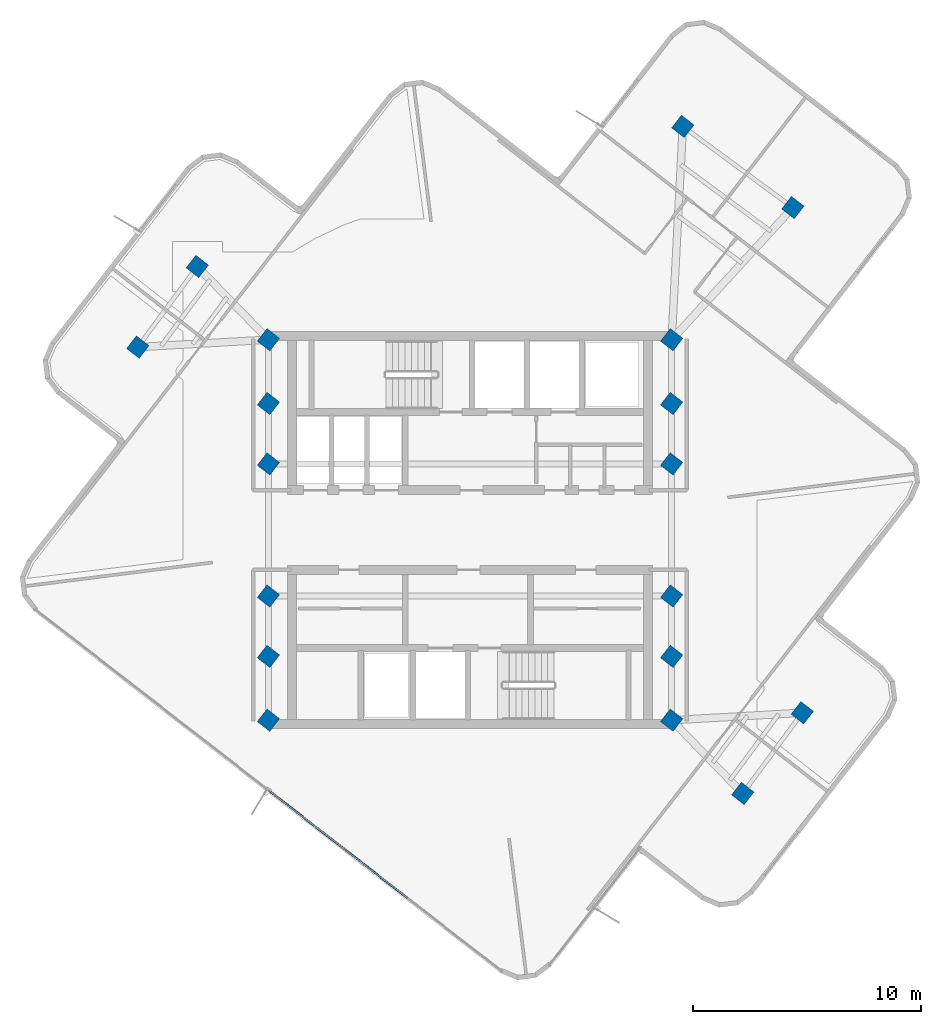
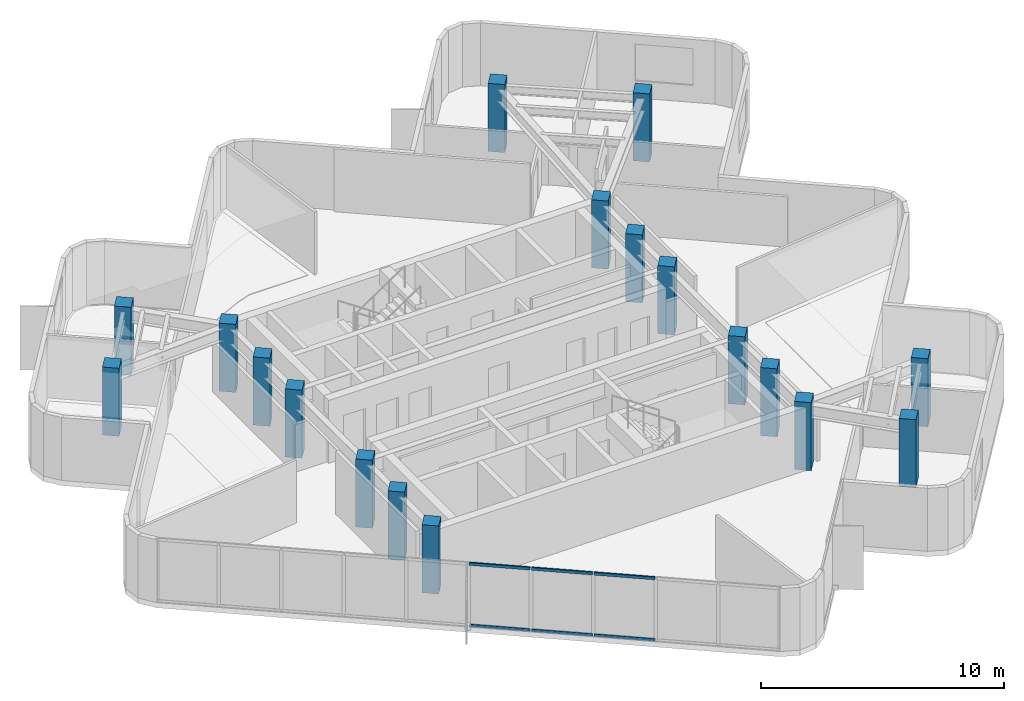
# One storey, part 1 of 10: 18 columns, 6 members, 1 element without a shape of its own.
"""IFC4 building model written with IfcOpenShell, lengths in metres."""

from ifc_helpers import new_model, si_unit, direction, frame, origin, origin_2d, place, context, subcontext, project, spatial, rectangle, extrude, material, layer, layer_set, material_profile, profile_set, type_object, element, aggregate, save


model = new_model("IFC4")

# Units and contexts
model_context = context("Model", 3, precision=1e-05, world=origin(), true_north=direction((0.0, 1.0)))
body_context = subcontext(model_context, "Body", "Model", "MODEL_VIEW")
ifc_project = project(units=[si_unit("LENGTHUNIT", "METRE"), si_unit("AREAUNIT", "SQUARE_METRE"), si_unit("VOLUMEUNIT", "CUBIC_METRE"), si_unit("PLANEANGLEUNIT", "RADIAN"), si_unit("MASSUNIT", "GRAM", prefix="KILO")], contexts=[model_context])

# Site, building, storey
site_placement = place(None, origin())
site = spatial("IfcSite", under=ifc_project, at=site_placement, CompositionType="ELEMENT")
building_placement = place(site_placement, origin())
building = spatial("IfcBuilding", under=site, at=building_placement, Name="Solmarez Civic Tower", CompositionType="ELEMENT")
storey_placement = place(building_placement, frame((0.0, 0.0, 257.760009765625)))
storey = spatial("IfcBuildingStorey", under=building, at=storey_placement, Name="L69", CompositionType="ELEMENT", Elevation=257.760009765625)

# Columns
ifc_material_1 = material(Name="Concrete C50/60", Category="concrete")
ifc_material_profile_1 = material_profile(ifc_material_1, rectangle(XDim=0.699951171875, YDim=0.699951171875, at=origin_2d()), Name="RC700X700")
ifc_profile_set_1 = profile_set([ifc_material_profile_1], Name="Concrete C50/60")
column_type = type_object("IfcColumnType", Name="COL-RC700", PredefinedType="COLUMN", material=ifc_profile_set_1)
for number, where, z_axis, x_axis, name in (
    (1, (-8.85009765625, -5.550048828125, 0.0), (0.0, 0.0, 1.0), (0.612907053653, 0.790155012376, 0.0), "L69 Structural Column HC1"),
    (2, (-8.85009765625, -2.89990234375, 0.0), (0.0, 0.0, 1.0), (0.612907053653, 0.790155012376, 0.0), "L69 Structural Column HC2"),
    (3, (-8.85009765625, 2.89990234375, 0.0), (0.0, 0.0, 1.0), (0.612907053653, 0.790155012376, 0.0), "L69 Structural Column HC3"),
    (4, (-8.85009765625, 5.550048828125, 0.0), (0.0, 0.0, 1.0), (0.612907053653, 0.790155012376, 0.0), "L69 Structural Column HC4"),
    (5, (8.85009765625, -5.550048828125, 0.0), (0.0, 0.0, 1.0), (0.612907053653, 0.790155012376, 0.0), "L69 Structural Column HC5"),
    (6, (8.85009765625, -2.89990234375, 0.0), (0.0, 0.0, 1.0), (0.612907053653, 0.790155012376, 0.0), "L69 Structural Column HC6"),
    (7, (8.85009765625, 2.89990234375, 0.0), (0.0, 0.0, 1.0), (0.612907053653, 0.790155012376, 0.0), "L69 Structural Column HC7"),
    (8, (8.85009765625, 5.550048828125, 0.0), (0.0, 0.0, 1.0), (0.612907053653, 0.790155012376, 0.0), "L69 Structural Column HC8"),
    (9, (-8.85009765625, 8.35009765625, 0.0), (0.0, 0.0, 1.0), (0.612907053653, 0.790155012376, 0.0), "L69 Structural Column HC9"),
    (10, (8.85009765625, -8.35009765625, 0.0), (0.0, 0.0, 1.0), (0.612907053653, 0.790155012376, 0.0), "L69 Structural Column HC10"),
    (11, (8.85009765625, 8.35009765625, 0.0), (0.0, 0.0, 1.0), (0.612907053653, 0.790155012376, 0.0), "L69 Structural Column HC11"),
    (12, (-8.85009765625, -8.35009765625, 0.0), (0.0, 0.0, 1.0), (0.612907053653, 0.790155012376, 0.0), "L69 Structural Column HC12"),
    (13, (14.1689453125, 14.152099609375, 0.0), (0.0, 0.0, 1.0), (0.612907053653, 0.790155012376, 0.0), "L69 Structural Column EA11"),
    (14, (9.341064453125, 17.714111328125, 0.0), (0.0, 0.0, 1.0), (0.612907053653, 0.790155012376, 0.0), "L69 Structural Column EA12"),
    (15, (-11.970947265625, 11.56591796875, 0.0), (0.0, 0.0, 1.0), (0.612907053653, 0.790155012376, 0.0), "L69 Structural Column NA11"),
    (16, (-14.5830078125, 8.02587890625, 0.0), (0.0, 0.0, 1.0), (0.612907053653, 0.790155012376, 0.0), "L69 Structural Column NA12"),
    (17, (11.970947265625, -11.56591796875, 0.0), (0.0, 0.0, 1.0), (0.612907053653, 0.790155012376, 0.0), "L69 Structural Column SA11"),
    (18, (14.5830078125, -8.02587890625, 0.0), (0.0, 0.0, 1.0), (0.612907053653, 0.790155012376, 0.0), "L69 Structural Column SA12"),
):
    element("IfcColumn", number, at=place(storey_placement, frame(where, z_axis=z_axis, x_axis=x_axis)), inside=storey, type_object=column_type, Name=name, PredefinedType="COLUMN", context=body_context, shape_type="SweptSolid", body=[
        extrude(rectangle(XDim=0.699951171875, YDim=0.699951171875, at=origin_2d()), origin(), (0.0, 0.0, 1.0), 3.419921875),
    ])

# Curtain wall, members
ifc_material_2 = material(Name="Bronze Anodised Aluminium EN AW-6063 T6", Category="aluminium")
ifc_layer = layer(ifc_material_2, 0.1650390625)
ifc_layer_set = layer_set([ifc_layer], Name="Bronze Anodised Aluminium EN AW-6063 T6")
curtain_wall_type = type_object("IfcCurtainWallType", Name="CW-SYS-4", PredefinedType="NOTDEFINED", material=ifc_layer_set)
curtain_wall_placement = place(storey_placement, origin())
curtain_wall = element("IfcCurtainWall", 19, at=curtain_wall_placement, inside=storey, type_object=curtain_wall_type, Name="L69 Stick-Built Curtain Wall 2", PredefinedType="NOTDEFINED")
ifc_material_profile_2 = material_profile(ifc_material_2, rectangle(XDim=0.070068359375, YDim=0.139892578125, at=origin_2d()), Name="CWT-70X140")
ifc_profile_set_2 = profile_set([ifc_material_profile_2], Name="Bronze Anodised Aluminium EN AW-6063 T6")
member_type = type_object("IfcMemberType", Name="CWT-TYPE-1", PredefinedType="USERDEFINED", material=ifc_profile_set_2)
member_1_placement = place(storey_placement, frame((-2.734619140625, -16.166015625, 0.034912109375), z_axis=(-0.790213131935, 0.612832119032, 0.0), x_axis=(-0.612832119032, -0.790213131935, 0.0)))
member_1 = element("IfcMember", 20, at=member_1_placement, type_object=member_type, Name="CWS4 transom 3.1", ObjectType="TRANSOM", PredefinedType="USERDEFINED", context=body_context, shape_type="SweptSolid", body=[
    extrude(rectangle(XDim=0.070068359375, YDim=0.139892578125, at=origin_2d()), origin(), (0.0, 0.0, 1.0), 2.532470703125),
])
member_2_placement = place(storey_placement, frame((-2.734619140625, -16.166015625, 3.125), z_axis=(-0.790213131935, 0.612832119032, 0.0), x_axis=(-0.612832119032, -0.790213131935, 0.0)))
member_2 = element("IfcMember", 21, at=member_2_placement, type_object=member_type, Name="CWS4 transom 3.2", ObjectType="TRANSOM", PredefinedType="USERDEFINED", context=body_context, shape_type="SweptSolid", body=[
    extrude(rectangle(XDim=0.070068359375, YDim=0.139892578125, at=origin_2d()), origin(), (0.0, 0.0, 1.0), 2.532470703125),
])
member_3_placement = place(storey_placement, frame((-4.783203125, -14.5771484375, 0.034912109375), z_axis=(-0.790176922481, 0.612878806273, 0.0), x_axis=(-0.612878806273, -0.790176922481, 0.0)))
member_3 = element("IfcMember", 22, at=member_3_placement, type_object=member_type, Name="CWS4 transom 4.1", ObjectType="TRANSOM", PredefinedType="USERDEFINED", context=body_context, shape_type="SweptSolid", body=[
    extrude(rectangle(XDim=0.070068359375, YDim=0.139892578125, at=origin_2d()), origin(), (0.0, 0.0, 1.0), 2.5322265625),
])
member_4_placement = place(storey_placement, frame((-4.783203125, -14.5771484375, 3.125), z_axis=(-0.790176922481, 0.612878806273, 0.0), x_axis=(-0.612878806273, -0.790176922481, 0.0)))
member_4 = element("IfcMember", 23, at=member_4_placement, type_object=member_type, Name="CWS4 transom 4.2", ObjectType="TRANSOM", PredefinedType="USERDEFINED", context=body_context, shape_type="SweptSolid", body=[
    extrude(rectangle(XDim=0.070068359375, YDim=0.139892578125, at=origin_2d()), origin(), (0.0, 0.0, 1.0), 2.5322265625),
])
member_5_placement = place(storey_placement, frame((-6.831787109375, -12.988525390625, 0.034912109375), z_axis=(-0.79013023322, 0.612938997415, 0.0), x_axis=(-0.612938997415, -0.79013023322, 0.0)))
member_5 = element("IfcMember", 24, at=member_5_placement, type_object=member_type, Name="CWS4 transom 5.1", ObjectType="TRANSOM", PredefinedType="USERDEFINED", context=body_context, shape_type="SweptSolid", body=[
    extrude(rectangle(XDim=0.070068359375, YDim=0.139892578125, at=origin_2d()), origin(), (0.0, 0.0, 1.0), 2.532470703125),
])
member_6_placement = place(storey_placement, frame((-6.831787109375, -12.988525390625, 3.125), z_axis=(-0.79013023322, 0.612938997415, 0.0), x_axis=(-0.612938997415, -0.79013023322, 0.0)))
member_6 = element("IfcMember", 25, at=member_6_placement, type_object=member_type, Name="CWS4 transom 5.2", ObjectType="TRANSOM", PredefinedType="USERDEFINED", context=body_context, shape_type="SweptSolid", body=[
    extrude(rectangle(XDim=0.070068359375, YDim=0.139892578125, at=origin_2d()), origin(), (0.0, 0.0, 1.0), 2.532470703125),
])
aggregate(curtain_wall, [member_1, member_2, member_3, member_4, member_5, member_6])

save(model, "model.ifc")
